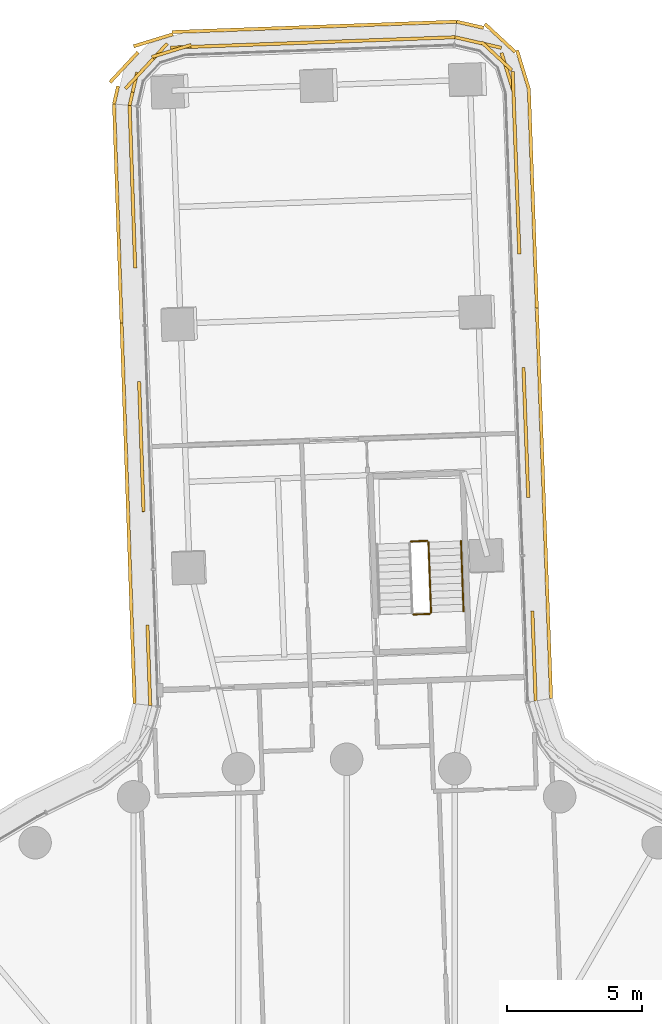
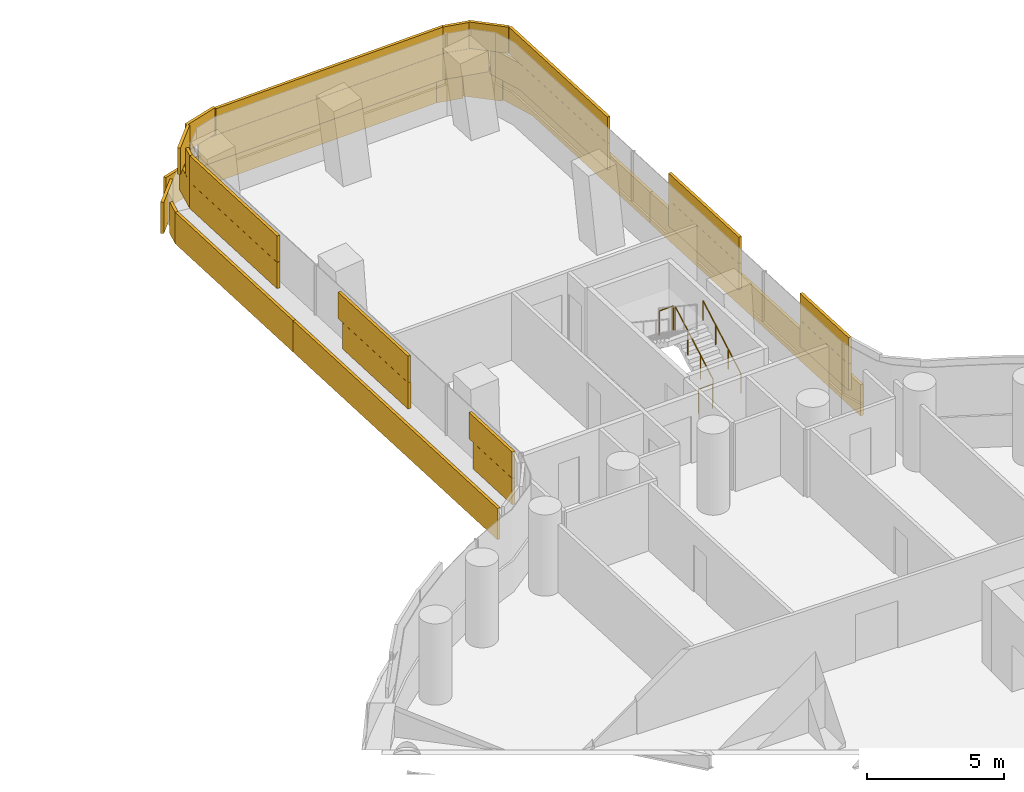
# One storey, part 31 of 31: 5 coverings, 4 railings.
"""IFC4 building model written with IfcOpenShell, lengths in metres."""

import ifcopenshell
import ifcopenshell.guid

model = None  # the IFC model being written
_history = None  # IfcOwnerHistory: only IFC2X3 demands one
_inside = {}  # id of a spatial element -> (the spatial element, [elements in it])
_under = {}  # id of a project, library or spatial element -> (it, [spatial elements below it])
_declared = {}  # id of a project -> (the project, [libraries it declares])
_typed = {}  # id of a type object -> (the type object, [elements of that type])
_made_of = {}  # id of a material, layer set ... -> (it, [elements and type objects made of it])


def new_model(schema):
    """Start an empty IFC model of exactly this schema.

    Asked for "IFC4X3", IfcOpenShell would pick the latest addendum, in which some entities
    have other attributes; the version numbers below select the first issue.
    IFC2X3 requires an IfcOwnerHistory on every rooted entity: one is made here for all.
    """
    global model, _history
    if schema == "IFC4X3":
        model = ifcopenshell.file(schema_version=(4, 3, 0, 0))
    else:
        model = ifcopenshell.file(schema=schema)
    _inside.clear()
    _under.clear()
    _declared.clear()
    _typed.clear()
    _made_of.clear()
    _history = None
    if model.schema == "IFC2X3":
        org = make("IfcOrganization", Name="unknown")
        user = make(
            "IfcPersonAndOrganization",
            ThePerson=make("IfcPerson", FamilyName="unknown"),
            TheOrganization=org,
        )
        app = make(
            "IfcApplication",
            ApplicationDeveloper=org,
            Version="unknown",
            ApplicationFullName="unknown",
            ApplicationIdentifier="unknown",
        )
        _history = make(
            "IfcOwnerHistory",
            OwningUser=user,
            OwningApplication=app,
            ChangeAction="ADDED",
            CreationDate=0,
        )
    return model


def make(cls, **values):
    """One entity of the class cls with the attributes given. An attribute that is None is left unset."""
    return model.create_entity(
        cls, **{name: value for name, value in values.items() if value is not None}
    )


def rooted(cls, **values):
    """An entity with a GlobalId (a new one), such as an element, a storey or a relation."""
    return make(cls, GlobalId=ifcopenshell.guid.new(), OwnerHistory=_history, **values)


def si_unit(unit_type, name, prefix=None):
    """IfcSIUnit, for example si_unit("LENGTHUNIT", "METRE", prefix="MILLI")."""
    return make("IfcSIUnit", UnitType=unit_type, Prefix=prefix, Name=name)


def assignment(units):
    """IfcUnitAssignment: the units of a project."""
    return None if units is None else make("IfcUnitAssignment", Units=units)


def point(xyz):
    """IfcCartesianPoint."""
    return None if xyz is None else make("IfcCartesianPoint", Coordinates=xyz)


def direction(xyz):
    """IfcDirection."""
    return None if xyz is None else make("IfcDirection", DirectionRatios=xyz)


def frame(location, z_axis=None, x_axis=None):
    """IfcAxis2Placement3D, a coordinate frame: its origin and axes. An axis left out is left unset."""
    return make(
        "IfcAxis2Placement3D",
        Location=point(location),
        Axis=direction(z_axis),
        RefDirection=direction(x_axis),
    )


def frame_2d(location, x_axis=None):
    """IfcAxis2Placement2D, a coordinate frame in the plane: its origin and x axis."""
    return make(
        "IfcAxis2Placement2D", Location=point(location), RefDirection=direction(x_axis)
    )


def origin():
    """The frame at (0, 0, 0) with its axes left unset."""
    return frame((0.0, 0.0, 0.0))


def origin_2d():
    """The frame at (0, 0) in the plane with its x axis left unset."""
    return frame_2d((0.0, 0.0))


def place(relative_to, where):
    """IfcLocalPlacement: puts the frame where relative to a parent placement (None: the world)."""
    return make(
        "IfcLocalPlacement", PlacementRelTo=relative_to, RelativePlacement=where
    )


def context(
    kind, dimensions, precision=None, world=None, true_north=None, identifier=None
):
    """IfcGeometricRepresentationContext, for example the 3D "Model" context."""
    return make(
        "IfcGeometricRepresentationContext",
        ContextIdentifier=identifier,
        ContextType=kind,
        CoordinateSpaceDimension=dimensions,
        Precision=precision,
        WorldCoordinateSystem=world,
        TrueNorth=true_north,
    )


def subcontext(parent, identifier, kind, view, scale=None):
    """IfcGeometricRepresentationSubContext, for example "Body" below "Model"."""
    return make(
        "IfcGeometricRepresentationSubContext",
        ContextIdentifier=identifier,
        ContextType=kind,
        ParentContext=parent,
        TargetScale=scale,
        TargetView=view,
    )


def project(units=None, contexts=None):
    """IfcProject with its units and contexts."""
    return rooted(
        "IfcProject",
        Name="project",
        RepresentationContexts=contexts,
        UnitsInContext=assignment(units),
    )


def spatial(cls, under=None, at=None, **own):
    """A site, building, storey or space (cls), placed at a placement, below another one or the project."""
    s = rooted(cls, ObjectPlacement=at, **own)
    if under is not None:
        _under.setdefault(under.id(), (under, []))[1].append(s)
    return s


def profile(cls, at=None, kind="AREA", **sizes):
    """A parametric profile (cls). Its sizes go by their IFC names, for example OverallWidth=200.0."""
    return make(cls, ProfileType=kind, Position=at, **sizes)


def rectangle(**sizes):
    """IfcRectangleProfileDef."""
    return profile("IfcRectangleProfileDef", **sizes)


def circle(**sizes):
    """IfcCircleProfileDef."""
    return profile("IfcCircleProfileDef", **sizes)


def extrude(swept, where, along, depth):
    """IfcExtrudedAreaSolid: the profile swept, set in the frame where, extruded along a direction by depth."""
    return make(
        "IfcExtrudedAreaSolid",
        SweptArea=swept,
        Position=where,
        ExtrudedDirection=direction(along),
        Depth=depth,
    )


def shape(context_of_items, identifier, shape_type, items):
    """IfcShapeRepresentation: the items that make up one representation, for example the "Body"."""
    return make(
        "IfcShapeRepresentation",
        ContextOfItems=context_of_items,
        RepresentationIdentifier=identifier,
        RepresentationType=shape_type,
        Items=items,
    )


def material(Name=None, Category=None):
    """IfcMaterial."""
    return make("IfcMaterial", Name=Name, Category=Category)


def layer(
    of_material, thickness, ventilated=None, Name=None, Category=None, Priority=None
):
    """IfcMaterialLayer: one layer of a wall or slab, of a material (None: an air gap)."""
    return make(
        "IfcMaterialLayer",
        Material=of_material,
        LayerThickness=thickness,
        IsVentilated=ventilated,
        Name=Name,
        Category=Category,
        Priority=Priority,
    )


def layer_set(layers, Name=None):
    """IfcMaterialLayerSet."""
    return make("IfcMaterialLayerSet", MaterialLayers=layers, LayerSetName=Name)


def made_of(thing, what):
    """Note that an element or type object is made of a material, layer set ...; save() writes the relation."""
    if what is not None:
        _made_of.setdefault(what.id(), (what, []))[1].append(thing)
    return thing


def type_object(cls, material=None, **own):
    """A type object (cls), such as IfcWallType, which elements share."""
    return made_of(rooted(cls, **own), material)


def element(
    cls,
    number,
    at=None,
    inside=None,
    cuts=None,
    type_object=None,
    material=None,
    context=None,
    identifier="Body",
    shape_type=None,
    held_by="IfcProductDefinitionShape",
    body=None,
    shapes=None,
    **own,
):
    """One element of the class cls, such as IfcWall. Its Tag is "e" and its number.

    at: its placement. inside: the storey or other place that contains it. cuts: it is an
    opening in that element (IfcRelVoidsElement). A single representation is given by context,
    identifier, shape_type and body (its items); several are given by shapes. held_by: the class
    of the entity that holds the representations. save() writes the other relations.
    """
    e = rooted(cls, Tag="e%d" % number, ObjectPlacement=at, **own)
    if body is not None:
        shapes = [shape(context, identifier, shape_type, body)]
    if shapes is not None:
        e.Representation = make(held_by, Representations=shapes)
    if inside is not None:
        _inside.setdefault(inside.id(), (inside, []))[1].append(e)
    if cuts is not None:
        rooted(
            "IfcRelVoidsElement", RelatingBuildingElement=cuts, RelatedOpeningElement=e
        )
    if type_object is not None:
        _typed.setdefault(type_object.id(), (type_object, []))[1].append(e)
    return made_of(e, material)


def aggregate(whole, parts):
    """IfcRelAggregates: a whole, such as a stair, and the parts it consists of."""
    return rooted("IfcRelAggregates", RelatingObject=whole, RelatedObjects=parts)


def save(model, path):
    """Write the relations noted so far, then the file.

    IfcRelAggregates (storeys below a building ...), IfcRelContainedInSpatialStructure (elements
    in a storey), IfcRelDefinesByType, IfcRelAssociatesMaterial and IfcRelDeclares: one each for
    every whole, place, type object, material and project.
    """
    for whole, parts in _under.values():
        aggregate(whole, parts)
    for where, things in _inside.values():
        rooted(
            "IfcRelContainedInSpatialStructure",
            RelatedElements=things,
            RelatingStructure=where,
        )
    for kind, things in _typed.values():
        rooted("IfcRelDefinesByType", RelatedObjects=things, RelatingType=kind)
    for what, things in _made_of.values():
        rooted("IfcRelAssociatesMaterial", RelatedObjects=things, RelatingMaterial=what)
    for by, libraries in _declared.values():
        rooted("IfcRelDeclares", RelatingContext=by, RelatedDefinitions=libraries)
    model.write(path)


model = new_model("IFC4")

# Units and contexts
model_context = context("Model", 3, precision=1e-05, world=origin(), true_north=direction((0.0, 1.0)))
body_context = subcontext(model_context, "Body", "Model", "MODEL_VIEW")
ifc_project = project(units=[si_unit("LENGTHUNIT", "METRE"), si_unit("AREAUNIT", "SQUARE_METRE"), si_unit("VOLUMEUNIT", "CUBIC_METRE"), si_unit("PLANEANGLEUNIT", "RADIAN"), si_unit("MASSUNIT", "GRAM", prefix="KILO")], contexts=[model_context])

# Site, building, storey
site_placement = place(None, origin())
site = spatial("IfcSite", under=ifc_project, at=site_placement, CompositionType="ELEMENT")
building_placement = place(site_placement, origin())
building = spatial("IfcBuilding", under=site, at=building_placement, Name="Tamarind Cross Interchange Tower", CompositionType="ELEMENT")
storey_placement = place(building_placement, frame((0.0, 0.0, 41.5)))
storey = spatial("IfcBuildingStorey", under=building, at=storey_placement, Name="L08", CompositionType="ELEMENT", Elevation=41.5)

# Railings
ifc_material_1 = material(Name="Stair guard")
railing_type_1 = type_object("IfcRailingType", Name="Stair guard", PredefinedType="GUARDRAIL", material=ifc_material_1)
railing_1_placement = place(storey_placement, frame((3.1181640625, 28.41796875, 0.17041015625)))
element("IfcRailing", 1, at=railing_1_placement, inside=storey, type_object=railing_type_1, Name="L08 ST4 stair guard 1", PredefinedType="GUARDRAIL", context=body_context, shape_type="SweptSolid", body=[
    extrude(circle(Radius=0.02392578125, at=origin_2d()), frame((0.0, 0.0, 1.076171875), z_axis=(-0.030548416436, 0.835723001818, 0.54830088317), x_axis=(-0.999332597614, -0.036528883713, 0.0)), (0.0, 0.0, 1.0), 3.10888671875),
    extrude(circle(Radius=0.02099609375, at=origin_2d()), origin(), (0.0, 0.0, 1.0), 1.052001953125),
    extrude(circle(Radius=0.02099609375, at=origin_2d()), frame((-0.03173828125, 0.865966796875, 0.568115234375)), (0.0, 0.0, 1.0), 1.052001953125),
    extrude(circle(Radius=0.02099609375, at=origin_2d()), frame((-0.063232421875, 1.732177734375, 1.136474609375)), (0.0, 0.0, 1.0), 1.052001953125),
    extrude(circle(Radius=0.02099609375, at=origin_2d()), frame((-0.094970703125, 2.59814453125, 1.70458984375)), (0.0, 0.0, 1.0), 1.052001953125),
])
for number, where, name in (
    (2, (2.971435546875, 31.064453125, 1.875), "L08 ST4 stair guard 2"),
    (3, (3.06982421875, 28.3662109375, 0.0), "L08 ST4 stair guard 4"),
):
    element("IfcRailing", number, at=place(storey_placement, frame(where)), inside=storey, type_object=railing_type_1, Name=name, PredefinedType="GUARDRAIL", context=body_context, shape_type="SweptSolid", body=[
        extrude(circle(Radius=0.02392578125, at=origin_2d()), frame((0.0, 0.0, 1.076171875), z_axis=(-0.999329249242, -0.036620371511, 0.0), x_axis=(0.036620371511, -0.999329249242, 0.0)), (0.0, 0.0, 1.0), 0.60009765625),
        extrude(circle(Radius=0.02099609375, at=origin_2d()), origin(), (0.0, 0.0, 1.0), 1.052001953125),
        extrude(circle(Radius=0.02099609375, at=origin_2d()), frame((-0.599609375, -0.02197265625, 0.0)), (0.0, 0.0, 1.0), 1.052001953125),
    ])
ifc_material_2 = material(Name="Stair handrail")
railing_type_2 = type_object("IfcRailingType", Name="Stair handrail", PredefinedType="HANDRAIL", material=ifc_material_2)
railing_2_placement = place(storey_placement, frame((4.3173828125, 28.461669921875, 0.17041015625)))
element("IfcRailing", 4, at=railing_2_placement, inside=storey, type_object=railing_type_2, Name="L08 ST4 stair handrail 1", PredefinedType="HANDRAIL", context=body_context, shape_type="SweptSolid", body=[
    extrude(circle(Radius=0.02392578125, at=origin_2d()), frame((0.0, 0.0, 0.8759765625), z_axis=(-0.030546411651, 0.83574668174, 0.548264900113), x_axis=(-0.999332722899, -0.036525456094, 0.0)), (0.0, 0.0, 1.0), 3.109130859375),
    extrude(circle(Radius=0.02099609375, at=origin_2d()), origin(), (0.0, 0.0, 1.0), 0.851806640625),
    extrude(circle(Radius=0.02099609375, at=origin_2d()), frame((-0.03173828125, 0.8662109375, 0.568115234375)), (0.0, 0.0, 1.0), 0.851806640625),
    extrude(circle(Radius=0.02099609375, at=origin_2d()), frame((-0.063232421875, 1.732177734375, 1.136474609375)), (0.0, 0.0, 1.0), 0.851806640625),
    extrude(circle(Radius=0.02099609375, at=origin_2d()), frame((-0.094970703125, 2.598388671875, 1.70458984375)), (0.0, 0.0, 1.0), 0.851806640625),
])

# Coverings
ifc_material_3 = material(Name="Terracotta", Category="masonry")
ifc_layer = layer(ifc_material_3, 0.1201171875)
ifc_layer_set = layer_set([ifc_layer], Name="Terracotta")
covering_type = type_object("IfcCoveringType", Name="Terracotta baguette screen unit", PredefinedType="MOLDING", material=ifc_layer_set)
covering_1_placement = place(storey_placement, origin())
element("IfcCovering", 5, at=covering_1_placement, inside=storey, type_object=covering_type, Name="SCR-L08-11-00", PredefinedType="MOLDING", context=body_context, shape_type="SweptSolid", body=[
    extrude(rectangle(XDim=1.510009765625, YDim=0.1201171875, at=origin_2d()), frame((6.952392578125, 25.90087890625, 1.404052734375), z_axis=(0.0, 0.0, 1.0), x_axis=(-0.036462315768, 0.999335028671, 0.0)), (0.0, 0.0, 1.0), 1.1669921875),
    extrude(rectangle(XDim=1.52001953125, YDim=0.1201171875, at=origin_2d()), frame((6.897705078125, 27.39990234375, 1.404052734375), z_axis=(0.0, 0.0, 1.0), x_axis=(-0.036462315768, 0.999335028671, 0.0)), (0.0, 0.0, 1.0), 1.1669921875),
    extrude(rectangle(XDim=0.326904296875, YDim=0.1201171875, at=origin_2d()), frame((6.864501953125, 28.307861328125, 1.404052734375), z_axis=(0.0, 0.0, 1.0), x_axis=(-0.036462315768, 0.999335028671, 0.0)), (0.0, 0.0, 1.0), 1.1669921875),
    extrude(rectangle(XDim=1.492919921875, YDim=0.1201171875, at=origin_2d()), frame((6.6787109375, 33.404541015625, 1.404052734375), z_axis=(0.0, 0.0, 1.0), x_axis=(-0.036462315768, 0.999335028671, 0.0)), (0.0, 0.0, 1.0), 1.1669921875),
    extrude(rectangle(XDim=1.52001953125, YDim=0.1201171875, at=origin_2d()), frame((6.624267578125, 34.89501953125, 1.404052734375), z_axis=(0.0, 0.0, 1.0), x_axis=(-0.036462315768, 0.999335028671, 0.0)), (0.0, 0.0, 1.0), 1.1669921875),
    extrude(rectangle(XDim=1.52001953125, YDim=0.1201171875, at=origin_2d()), frame((6.569580078125, 36.39404296875, 1.404052734375), z_axis=(0.0, 0.0, 1.0), x_axis=(-0.036462315768, 0.999335028671, 0.0)), (0.0, 0.0, 1.0), 1.1669921875),
    extrude(rectangle(XDim=0.326904296875, YDim=0.1201171875, at=origin_2d()), frame((6.536376953125, 37.3017578125, 1.404052734375), z_axis=(0.0, 0.0, 1.0), x_axis=(-0.036462315768, 0.999335028671, 0.0)), (0.0, 0.0, 1.0), 1.1669921875),
    extrude(rectangle(XDim=0.760009765625, YDim=0.1201171875, at=origin_2d()), frame((6.966064453125, 25.526123046875, 2.5791015625), z_axis=(0.0, 0.0, 1.0), x_axis=(-0.036462315768, 0.999335028671, 0.0)), (0.0, 0.0, 1.0), 1.1669921875),
    extrude(rectangle(XDim=1.52001953125, YDim=0.1201171875, at=origin_2d()), frame((6.925048828125, 26.650390625, 2.5791015625), z_axis=(0.0, 0.0, 1.0), x_axis=(-0.036462315768, 0.999335028671, 0.0)), (0.0, 0.0, 1.0), 1.1669921875),
    extrude(rectangle(XDim=1.076904296875, YDim=0.1201171875, at=origin_2d()), frame((6.878173828125, 27.93310546875, 2.5791015625), z_axis=(0.0, 0.0, 1.0), x_axis=(-0.036462315768, 0.999335028671, 0.0)), (0.0, 0.0, 1.0), 1.1669921875),
    extrude(rectangle(XDim=0.742919921875, YDim=0.1201171875, at=origin_2d()), frame((6.6923828125, 33.02978515625, 2.5791015625), z_axis=(0.0, 0.0, 1.0), x_axis=(-0.036462315768, 0.999335028671, 0.0)), (0.0, 0.0, 1.0), 1.1669921875),
    extrude(rectangle(XDim=1.52001953125, YDim=0.1201171875, at=origin_2d()), frame((6.651611328125, 34.1455078125, 2.5791015625), z_axis=(0.0, 0.0, 1.0), x_axis=(-0.036462315768, 0.999335028671, 0.0)), (0.0, 0.0, 1.0), 1.1669921875),
    extrude(rectangle(XDim=1.52001953125, YDim=0.1201171875, at=origin_2d()), frame((6.596923828125, 35.64453125, 2.5791015625), z_axis=(0.0, 0.0, 1.0), x_axis=(-0.036462315768, 0.999335028671, 0.0)), (0.0, 0.0, 1.0), 1.1669921875),
    extrude(rectangle(XDim=1.076904296875, YDim=0.1201171875, at=origin_2d()), frame((6.550048828125, 36.927001953125, 2.5791015625), z_axis=(0.0, 0.0, 1.0), x_axis=(-0.036462315768, 0.999335028671, 0.0)), (0.0, 0.0, 1.0), 1.1669921875),
    extrude(rectangle(XDim=1.510009765625, YDim=0.1201171875, at=origin_2d()), frame((7.52294921875, 26.0029296875, 0.00390625), z_axis=(0.0, 0.0, 1.0), x_axis=(-0.036462315768, 0.999335028671, 0.0)), (0.0, 0.0, 1.0), 1.39208984375),
    extrude(rectangle(XDim=1.52001953125, YDim=0.1201171875, at=origin_2d()), frame((7.468505859375, 27.4970703125, 0.00390625), z_axis=(0.0, 0.0, 1.0), x_axis=(-0.036462315768, 0.999335028671, 0.0)), (0.0, 0.0, 1.0), 1.39208984375),
    extrude(rectangle(XDim=1.52001953125, YDim=0.1201171875, at=origin_2d()), frame((7.413818359375, 28.99609375, 0.00390625), z_axis=(0.0, 0.0, 1.0), x_axis=(-0.036462315768, 0.999335028671, 0.0)), (0.0, 0.0, 1.0), 1.39208984375),
    extrude(rectangle(XDim=1.52001953125, YDim=0.1201171875, at=origin_2d()), frame((7.359130859375, 30.4951171875, 0.00390625), z_axis=(0.0, 0.0, 1.0), x_axis=(-0.036462315768, 0.999335028671, 0.0)), (0.0, 0.0, 1.0), 1.39208984375),
    extrude(rectangle(XDim=1.52001953125, YDim=0.1201171875, at=origin_2d()), frame((7.304443359375, 31.994140625, 0.00390625), z_axis=(0.0, 0.0, 1.0), x_axis=(-0.036462315768, 0.999335028671, 0.0)), (0.0, 0.0, 1.0), 1.39208984375),
    extrude(rectangle(XDim=1.52001953125, YDim=0.1201171875, at=origin_2d()), frame((7.249755859375, 33.4931640625, 0.00390625), z_axis=(0.0, 0.0, 1.0), x_axis=(-0.036462315768, 0.999335028671, 0.0)), (0.0, 0.0, 1.0), 1.39208984375),
    extrude(rectangle(XDim=1.52001953125, YDim=0.1201171875, at=origin_2d()), frame((7.195068359375, 34.9921875, 0.00390625), z_axis=(0.0, 0.0, 1.0), x_axis=(-0.036462315768, 0.999335028671, 0.0)), (0.0, 0.0, 1.0), 1.39208984375),
    extrude(rectangle(XDim=1.52001953125, YDim=0.1201171875, at=origin_2d()), frame((7.140380859375, 36.490966796875, 0.00390625), z_axis=(0.0, 0.0, 1.0), x_axis=(-0.036462315768, 0.999335028671, 0.0)), (0.0, 0.0, 1.0), 1.39208984375),
    extrude(rectangle(XDim=1.52001953125, YDim=0.1201171875, at=origin_2d()), frame((7.085693359375, 37.989990234375, 0.00390625), z_axis=(0.0, 0.0, 1.0), x_axis=(-0.036462315768, 0.999335028671, 0.0)), (0.0, 0.0, 1.0), 1.39208984375),
    extrude(rectangle(XDim=0.926513671875, YDim=0.1201171875, at=origin_2d()), frame((7.041748046875, 39.192626953125, 0.00390625), z_axis=(0.0, 0.0, 1.0), x_axis=(-0.036462315768, 0.999335028671, 0.0)), (0.0, 0.0, 1.0), 1.39208984375),
])
covering_2_placement = place(storey_placement, origin())
element("IfcCovering", 6, at=covering_2_placement, inside=storey, type_object=covering_type, Name="SCR-L08-11-01", PredefinedType="MOLDING", context=body_context, shape_type="SweptSolid", body=[
    extrude(rectangle(XDim=1.4931640625, YDim=0.1201171875, at=origin_2d()), frame((6.350341796875, 42.3984375, 1.404052734375), z_axis=(0.0, 0.0, 1.0), x_axis=(-0.036462315768, 0.999335028671, 0.0)), (0.0, 0.0, 1.0), 1.1669921875),
    extrude(rectangle(XDim=1.52001953125, YDim=0.1201171875, at=origin_2d()), frame((6.296142578125, 43.888916015625, 1.404052734375), z_axis=(0.0, 0.0, 1.0), x_axis=(-0.036462315768, 0.999335028671, 0.0)), (0.0, 0.0, 1.0), 1.1669921875),
    extrude(rectangle(XDim=1.52001953125, YDim=0.1201171875, at=origin_2d()), frame((6.241455078125, 45.387939453125, 1.404052734375), z_axis=(0.0, 0.0, 1.0), x_axis=(-0.036462315768, 0.999335028671, 0.0)), (0.0, 0.0, 1.0), 1.1669921875),
    extrude(rectangle(XDim=1.52001953125, YDim=0.1201171875, at=origin_2d()), frame((6.186767578125, 46.886962890625, 1.404052734375), z_axis=(0.0, 0.0, 1.0), x_axis=(-0.036462315768, 0.999335028671, 0.0)), (0.0, 0.0, 1.0), 1.1669921875),
    extrude(rectangle(XDim=1.52001953125, YDim=0.1201171875, at=origin_2d()), frame((5.94384765625, 48.354248046875, 1.404052734375), z_axis=(0.0, 0.0, 1.0), x_axis=(-0.293866830345, 0.955846371559, 0.0)), (0.0, 0.0, 1.0), 1.1669921875),
    extrude(rectangle(XDim=1.52001953125, YDim=0.1201171875, at=origin_2d()), frame((4.97607421875, 49.434326171875, 1.404052734375), z_axis=(0.0, 0.0, 1.0), x_axis=(-0.974720655058, 0.223427045372, 0.0)), (0.0, 0.0, 1.0), 1.1669921875),
    extrude(rectangle(XDim=0.255126953125, YDim=0.1201171875, at=origin_2d()), frame((4.12548828125, 49.629150390625, 1.404052734375), z_axis=(0.0, 0.0, 1.0), x_axis=(-0.974720655058, 0.223427045372, 0.0)), (0.0, 0.0, 1.0), 1.1669921875),
    extrude(rectangle(XDim=0.7431640625, YDim=0.1201171875, at=origin_2d()), frame((6.364013671875, 42.023681640625, 2.5791015625), z_axis=(0.0, 0.0, 1.0), x_axis=(-0.036462315768, 0.999335028671, 0.0)), (0.0, 0.0, 1.0), 1.1669921875),
    extrude(rectangle(XDim=1.52001953125, YDim=0.1201171875, at=origin_2d()), frame((6.323486328125, 43.139404296875, 2.5791015625), z_axis=(0.0, 0.0, 1.0), x_axis=(-0.036462315768, 0.999335028671, 0.0)), (0.0, 0.0, 1.0), 1.1669921875),
    extrude(rectangle(XDim=1.52001953125, YDim=0.1201171875, at=origin_2d()), frame((6.268798828125, 44.638427734375, 2.5791015625), z_axis=(0.0, 0.0, 1.0), x_axis=(-0.036462315768, 0.999335028671, 0.0)), (0.0, 0.0, 1.0), 1.1669921875),
    extrude(rectangle(XDim=1.52001953125, YDim=0.1201171875, at=origin_2d()), frame((6.214111328125, 46.137451171875, 2.5791015625), z_axis=(0.0, 0.0, 1.0), x_axis=(-0.036462315768, 0.999335028671, 0.0)), (0.0, 0.0, 1.0), 1.1669921875),
    extrude(rectangle(XDim=1.52001953125, YDim=0.1201171875, at=origin_2d()), frame((6.159423828125, 47.636474609375, 2.5791015625), z_axis=(0.0, 0.0, 1.0), x_axis=(-0.036462315768, 0.999335028671, 0.0)), (0.0, 0.0, 1.0), 1.1669921875),
    extrude(rectangle(XDim=1.52001953125, YDim=0.1201171875, at=origin_2d()), frame((5.543701171875, 48.95849609375, 2.5791015625), z_axis=(0.0, 0.0, 1.0), x_axis=(-0.732419326188, 0.680853824713, 0.0)), (0.0, 0.0, 1.0), 1.1669921875),
    extrude(rectangle(XDim=1.005126953125, YDim=0.1201171875, at=origin_2d()), frame((4.490966796875, 49.54541015625, 2.5791015625), z_axis=(0.0, 0.0, 1.0), x_axis=(-0.974720655058, 0.223427045372, 0.0)), (0.0, 0.0, 1.0), 1.1669921875),
    extrude(rectangle(XDim=0.593505859375, YDim=0.1201171875, at=origin_2d()), frame((7.01416015625, 39.9521484375, 0.00390625), z_axis=(0.0, 0.0, 1.0), x_axis=(-0.036462315768, 0.999335028671, 0.0)), (0.0, 0.0, 1.0), 1.39208984375),
    extrude(rectangle(XDim=1.52001953125, YDim=0.1201171875, at=origin_2d()), frame((6.976318359375, 40.988037109375, 0.00390625), z_axis=(0.0, 0.0, 1.0), x_axis=(-0.036462315768, 0.999335028671, 0.0)), (0.0, 0.0, 1.0), 1.39208984375),
    extrude(rectangle(XDim=1.52001953125, YDim=0.1201171875, at=origin_2d()), frame((6.921630859375, 42.487060546875, 0.00390625), z_axis=(0.0, 0.0, 1.0), x_axis=(-0.036462315768, 0.999335028671, 0.0)), (0.0, 0.0, 1.0), 1.39208984375),
    extrude(rectangle(XDim=1.52001953125, YDim=0.1201171875, at=origin_2d()), frame((6.866943359375, 43.986083984375, 0.00390625), z_axis=(0.0, 0.0, 1.0), x_axis=(-0.036462315768, 0.999335028671, 0.0)), (0.0, 0.0, 1.0), 1.39208984375),
    extrude(rectangle(XDim=1.52001953125, YDim=0.1201171875, at=origin_2d()), frame((6.812255859375, 45.485107421875, 0.00390625), z_axis=(0.0, 0.0, 1.0), x_axis=(-0.036462315768, 0.999335028671, 0.0)), (0.0, 0.0, 1.0), 1.39208984375),
    extrude(rectangle(XDim=1.52001953125, YDim=0.1201171875, at=origin_2d()), frame((6.757568359375, 46.984130859375, 0.00390625), z_axis=(0.0, 0.0, 1.0), x_axis=(-0.036462315768, 0.999335028671, 0.0)), (0.0, 0.0, 1.0), 1.39208984375),
    extrude(rectangle(XDim=1.52001953125, YDim=0.1201171875, at=origin_2d()), frame((6.514404296875, 48.451171875, 0.00390625), z_axis=(0.0, 0.0, 1.0), x_axis=(-0.293866830345, 0.955846371559, 0.0)), (0.0, 0.0, 1.0), 1.39208984375),
    extrude(rectangle(XDim=1.52001953125, YDim=0.1201171875, at=origin_2d()), frame((5.66552734375, 49.629150390625, 0.00390625), z_axis=(0.0, 0.0, 1.0), x_axis=(-0.732419326188, 0.680853824713, 0.0)), (0.0, 0.0, 1.0), 1.39208984375),
    extrude(rectangle(XDim=1.020751953125, YDim=0.1201171875, at=origin_2d()), frame((4.55810546875, 50.118896484375, 0.00390625), z_axis=(0.0, 0.0, 1.0), x_axis=(-0.974720655058, 0.223427045372, 0.0)), (0.0, 0.0, 1.0), 1.39208984375),
])
covering_3_placement = place(storey_placement, origin())
element("IfcCovering", 7, at=covering_3_placement, inside=storey, type_object=covering_type, Name="SCR-L08-12-00", PredefinedType="MOLDING", context=body_context, shape_type="SweptSolid", body=[
    extrude(rectangle(XDim=1.510009765625, YDim=0.1201171875, at=origin_2d()), frame((3.256591796875, 49.629150390625, 1.404052734375), z_axis=(0.0, 0.0, 1.0), x_axis=(-0.999335028671, -0.036462315768, 0.0)), (0.0, 0.0, 1.0), 1.1669921875),
    extrude(rectangle(XDim=1.52001953125, YDim=0.1201171875, at=origin_2d()), frame((1.757568359375, 49.574462890625, 1.404052734375), z_axis=(0.0, 0.0, 1.0), x_axis=(-0.999335028671, -0.036462315768, 0.0)), (0.0, 0.0, 1.0), 1.1669921875),
    extrude(rectangle(XDim=1.52001953125, YDim=0.1201171875, at=origin_2d()), frame((0.258544921875, 49.519775390625, 1.404052734375), z_axis=(0.0, 0.0, 1.0), x_axis=(-0.999335028671, -0.036462315768, 0.0)), (0.0, 0.0, 1.0), 1.1669921875),
    extrude(rectangle(XDim=1.52001953125, YDim=0.1201171875, at=origin_2d()), frame((-1.240478515625, 49.465087890625, 1.404052734375), z_axis=(0.0, 0.0, 1.0), x_axis=(-0.999335028671, -0.036462315768, 0.0)), (0.0, 0.0, 1.0), 1.1669921875),
    extrude(rectangle(XDim=1.52001953125, YDim=0.1201171875, at=origin_2d()), frame((-2.739501953125, 49.410400390625, 1.404052734375), z_axis=(0.0, 0.0, 1.0), x_axis=(-0.999335028671, -0.036462315768, 0.0)), (0.0, 0.0, 1.0), 1.1669921875),
    extrude(rectangle(XDim=1.52001953125, YDim=0.1201171875, at=origin_2d()), frame((-4.238525390625, 49.355712890625, 1.404052734375), z_axis=(0.0, 0.0, 1.0), x_axis=(-0.999335028671, -0.036462315768, 0.0)), (0.0, 0.0, 1.0), 1.1669921875),
    extrude(rectangle(XDim=1.52001953125, YDim=0.1201171875, at=origin_2d()), frame((-5.737548828125, 49.301025390625, 1.404052734375), z_axis=(0.0, 0.0, 1.0), x_axis=(-0.999335028671, -0.036462315768, 0.0)), (0.0, 0.0, 1.0), 1.1669921875),
    extrude(rectangle(XDim=1.52001953125, YDim=0.1201171875, at=origin_2d()), frame((-7.140380859375, 48.86279296875, 1.404052734375), z_axis=(0.0, 0.0, 1.0), x_axis=(-0.680853824713, -0.732419326188, 0.0)), (0.0, 0.0, 1.0), 1.1669921875),
    extrude(rectangle(XDim=1.259521484375, YDim=0.1201171875, at=origin_2d()), frame((-7.872314453125, 47.74755859375, 1.404052734375), z_axis=(0.0, 0.0, 1.0), x_axis=(-0.223427045372, -0.974720655058, 0.0)), (0.0, 0.0, 1.0), 1.1669921875),
    extrude(rectangle(XDim=0.760009765625, YDim=0.1201171875, at=origin_2d()), frame((3.63134765625, 49.642822265625, 2.5791015625), z_axis=(0.0, 0.0, 1.0), x_axis=(-0.999335028671, -0.036462315768, 0.0)), (0.0, 0.0, 1.0), 1.1669921875),
    extrude(rectangle(XDim=1.52001953125, YDim=0.1201171875, at=origin_2d()), frame((2.507080078125, 49.601806640625, 2.5791015625), z_axis=(0.0, 0.0, 1.0), x_axis=(-0.999335028671, -0.036462315768, 0.0)), (0.0, 0.0, 1.0), 1.1669921875),
    extrude(rectangle(XDim=1.52001953125, YDim=0.1201171875, at=origin_2d()), frame((1.008056640625, 49.547119140625, 2.5791015625), z_axis=(0.0, 0.0, 1.0), x_axis=(-0.999335028671, -0.036462315768, 0.0)), (0.0, 0.0, 1.0), 1.1669921875),
    extrude(rectangle(XDim=1.52001953125, YDim=0.1201171875, at=origin_2d()), frame((-0.490966796875, 49.492431640625, 2.5791015625), z_axis=(0.0, 0.0, 1.0), x_axis=(-0.999335028671, -0.036462315768, 0.0)), (0.0, 0.0, 1.0), 1.1669921875),
    extrude(rectangle(XDim=1.52001953125, YDim=0.1201171875, at=origin_2d()), frame((-1.989990234375, 49.437744140625, 2.5791015625), z_axis=(0.0, 0.0, 1.0), x_axis=(-0.999335028671, -0.036462315768, 0.0)), (0.0, 0.0, 1.0), 1.1669921875),
    extrude(rectangle(XDim=1.52001953125, YDim=0.1201171875, at=origin_2d()), frame((-3.489013671875, 49.383056640625, 2.5791015625), z_axis=(0.0, 0.0, 1.0), x_axis=(-0.999335028671, -0.036462315768, 0.0)), (0.0, 0.0, 1.0), 1.1669921875),
    extrude(rectangle(XDim=1.52001953125, YDim=0.1201171875, at=origin_2d()), frame((-4.988037109375, 49.328369140625, 2.5791015625), z_axis=(0.0, 0.0, 1.0), x_axis=(-0.999335028671, -0.036462315768, 0.0)), (0.0, 0.0, 1.0), 1.1669921875),
    extrude(rectangle(XDim=1.52001953125, YDim=0.1201171875, at=origin_2d()), frame((-6.46630859375, 49.151123046875, 2.5791015625), z_axis=(0.0, 0.0, 1.0), x_axis=(-0.955846371559, -0.293866830345, 0.0)), (0.0, 0.0, 1.0), 1.1669921875),
    extrude(rectangle(XDim=1.52001953125, YDim=0.1201171875, at=origin_2d()), frame((-7.651123046875, 48.3134765625, 2.5791015625), z_axis=(0.0, 0.0, 1.0), x_axis=(-0.680853824713, -0.732419326188, 0.0)), (0.0, 0.0, 1.0), 1.1669921875),
    extrude(rectangle(XDim=0.509521484375, YDim=0.1201171875, at=origin_2d()), frame((-7.9560546875, 47.382080078125, 2.5791015625), z_axis=(0.0, 0.0, 1.0), x_axis=(-0.223427045372, -0.974720655058, 0.0)), (0.0, 0.0, 1.0), 1.1669921875),
    extrude(rectangle(XDim=1.510009765625, YDim=0.1201171875, at=origin_2d()), frame((3.30615234375, 50.20556640625, 0.00390625), z_axis=(0.0, 0.0, 1.0), x_axis=(-0.999335028671, -0.036462315768, 0.0)), (0.0, 0.0, 1.0), 1.39208984375),
    extrude(rectangle(XDim=1.52001953125, YDim=0.1201171875, at=origin_2d()), frame((1.812255859375, 50.15087890625, 0.00390625), z_axis=(0.0, 0.0, 1.0), x_axis=(-0.999335028671, -0.036462315768, 0.0)), (0.0, 0.0, 1.0), 1.39208984375),
    extrude(rectangle(XDim=1.52001953125, YDim=0.1201171875, at=origin_2d()), frame((0.313232421875, 50.09619140625, 0.00390625), z_axis=(0.0, 0.0, 1.0), x_axis=(-0.999335028671, -0.036462315768, 0.0)), (0.0, 0.0, 1.0), 1.39208984375),
    extrude(rectangle(XDim=1.52001953125, YDim=0.1201171875, at=origin_2d()), frame((-1.185791015625, 50.04150390625, 0.00390625), z_axis=(0.0, 0.0, 1.0), x_axis=(-0.999335028671, -0.036462315768, 0.0)), (0.0, 0.0, 1.0), 1.39208984375),
    extrude(rectangle(XDim=1.52001953125, YDim=0.1201171875, at=origin_2d()), frame((-2.684814453125, 49.98681640625, 0.00390625), z_axis=(0.0, 0.0, 1.0), x_axis=(-0.999335028671, -0.036462315768, 0.0)), (0.0, 0.0, 1.0), 1.39208984375),
    extrude(rectangle(XDim=1.52001953125, YDim=0.1201171875, at=origin_2d()), frame((-4.183837890625, 49.93212890625, 0.00390625), z_axis=(0.0, 0.0, 1.0), x_axis=(-0.999335028671, -0.036462315768, 0.0)), (0.0, 0.0, 1.0), 1.39208984375),
    extrude(rectangle(XDim=1.52001953125, YDim=0.1201171875, at=origin_2d()), frame((-5.682861328125, 49.87744140625, 0.00390625), z_axis=(0.0, 0.0, 1.0), x_axis=(-0.999335028671, -0.036462315768, 0.0)), (0.0, 0.0, 1.0), 1.39208984375),
    extrude(rectangle(XDim=1.52001953125, YDim=0.1201171875, at=origin_2d()), frame((-7.135009765625, 49.546142578125, 0.00390625), z_axis=(0.0, 0.0, 1.0), x_axis=(-0.955846371559, -0.293866830345, 0.0)), (0.0, 0.0, 1.0), 1.39208984375),
    extrude(rectangle(XDim=1.52001953125, YDim=0.1201171875, at=origin_2d()), frame((-8.21826171875, 48.546142578125, 0.00390625), z_axis=(0.0, 0.0, 1.0), x_axis=(-0.680853824713, -0.732419326188, 0.0)), (0.0, 0.0, 1.0), 1.39208984375),
    extrude(rectangle(XDim=0.676513671875, YDim=0.1201171875, at=origin_2d()), frame((-8.5126953125, 47.5234375, 0.00390625), z_axis=(0.0, 0.0, 1.0), x_axis=(-0.223427045372, -0.974720655058, 0.0)), (0.0, 0.0, 1.0), 1.39208984375),
])
covering_4_placement = place(storey_placement, origin())
element("IfcCovering", 8, at=covering_4_placement, inside=storey, type_object=covering_type, Name="SCR-L08-13-00", PredefinedType="MOLDING", context=body_context, shape_type="SweptSolid", body=[
    extrude(rectangle(XDim=1.510009765625, YDim=0.1201171875, at=origin_2d()), frame((-7.986083984375, 46.38916015625, 1.404052734375), z_axis=(0.0, 0.0, 1.0), x_axis=(0.034342684894, -0.999410116016, 0.0)), (0.0, 0.0, 1.0), 1.1669921875),
    extrude(rectangle(XDim=1.52001953125, YDim=0.1201171875, at=origin_2d()), frame((-7.9345703125, 44.889892578125, 1.404052734375), z_axis=(0.0, 0.0, 1.0), x_axis=(0.034342684894, -0.999410116016, 0.0)), (0.0, 0.0, 1.0), 1.1669921875),
    extrude(rectangle(XDim=1.52001953125, YDim=0.1201171875, at=origin_2d()), frame((-7.883056640625, 43.390869140625, 1.404052734375), z_axis=(0.0, 0.0, 1.0), x_axis=(0.034342684894, -0.999410116016, 0.0)), (0.0, 0.0, 1.0), 1.1669921875),
    extrude(rectangle(XDim=1.52001953125, YDim=0.1201171875, at=origin_2d()), frame((-7.83154296875, 41.891845703125, 1.404052734375), z_axis=(0.0, 0.0, 1.0), x_axis=(0.034342684894, -0.999410116016, 0.0)), (0.0, 0.0, 1.0), 1.1669921875),
    extrude(rectangle(XDim=0.760009765625, YDim=0.1201171875, at=origin_2d()), frame((-7.9990234375, 46.763916015625, 2.5791015625), z_axis=(0.0, 0.0, 1.0), x_axis=(0.034342684894, -0.999410116016, 0.0)), (0.0, 0.0, 1.0), 1.1669921875),
    extrude(rectangle(XDim=1.52001953125, YDim=0.1201171875, at=origin_2d()), frame((-7.96044921875, 45.6396484375, 2.5791015625), z_axis=(0.0, 0.0, 1.0), x_axis=(0.034342684894, -0.999410116016, 0.0)), (0.0, 0.0, 1.0), 1.1669921875),
    extrude(rectangle(XDim=1.52001953125, YDim=0.1201171875, at=origin_2d()), frame((-7.908935546875, 44.140380859375, 2.5791015625), z_axis=(0.0, 0.0, 1.0), x_axis=(0.034342684894, -0.999410116016, 0.0)), (0.0, 0.0, 1.0), 1.1669921875),
    extrude(rectangle(XDim=1.52001953125, YDim=0.1201171875, at=origin_2d()), frame((-7.857421875, 42.641357421875, 2.5791015625), z_axis=(0.0, 0.0, 1.0), x_axis=(0.034342684894, -0.999410116016, 0.0)), (0.0, 0.0, 1.0), 1.1669921875),
    extrude(rectangle(XDim=0.76123046875, YDim=0.1201171875, at=origin_2d()), frame((-7.818603515625, 41.516357421875, 2.5791015625), z_axis=(0.0, 0.0, 1.0), x_axis=(0.034342684894, -0.999410116016, 0.0)), (0.0, 0.0, 1.0), 1.1669921875),
    extrude(rectangle(XDim=1.510009765625, YDim=0.1201171875, at=origin_2d()), frame((-8.562255859375, 46.439208984375, 0.00390625), z_axis=(0.0, 0.0, 1.0), x_axis=(0.034342684894, -0.999410116016, 0.0)), (0.0, 0.0, 1.0), 1.39208984375),
    extrude(rectangle(XDim=1.52001953125, YDim=0.1201171875, at=origin_2d()), frame((-8.510986328125, 44.945068359375, 0.00390625), z_axis=(0.0, 0.0, 1.0), x_axis=(0.034342684894, -0.999410116016, 0.0)), (0.0, 0.0, 1.0), 1.39208984375),
    extrude(rectangle(XDim=1.52001953125, YDim=0.1201171875, at=origin_2d()), frame((-8.45947265625, 43.446044921875, 0.00390625), z_axis=(0.0, 0.0, 1.0), x_axis=(0.034342684894, -0.999410116016, 0.0)), (0.0, 0.0, 1.0), 1.39208984375),
    extrude(rectangle(XDim=1.52001953125, YDim=0.1201171875, at=origin_2d()), frame((-8.407958984375, 41.947021484375, 0.00390625), z_axis=(0.0, 0.0, 1.0), x_axis=(0.034342684894, -0.999410116016, 0.0)), (0.0, 0.0, 1.0), 1.39208984375),
    extrude(rectangle(XDim=1.52001953125, YDim=0.1201171875, at=origin_2d()), frame((-8.3564453125, 40.44775390625, 0.00390625), z_axis=(0.0, 0.0, 1.0), x_axis=(0.034342684894, -0.999410116016, 0.0)), (0.0, 0.0, 1.0), 1.39208984375),
    extrude(rectangle(XDim=0.606201171875, YDim=0.1201171875, at=origin_2d()), frame((-8.320556640625, 39.4052734375, 0.00390625), z_axis=(0.0, 0.0, 1.0), x_axis=(0.034342684894, -0.999410116016, 0.0)), (0.0, 0.0, 1.0), 1.39208984375),
])
covering_5_placement = place(storey_placement, origin())
element("IfcCovering", 9, at=covering_5_placement, inside=storey, type_object=covering_type, Name="SCR-L08-13-01", PredefinedType="MOLDING", context=body_context, shape_type="SweptSolid", body=[
    extrude(rectangle(XDim=1.52001953125, YDim=0.1201171875, at=origin_2d()), frame((-7.62548828125, 35.895263671875, 1.404052734375), z_axis=(0.0, 0.0, 1.0), x_axis=(0.034342684894, -0.999410116016, 0.0)), (0.0, 0.0, 1.0), 1.1669921875),
    extrude(rectangle(XDim=1.52001953125, YDim=0.1201171875, at=origin_2d()), frame((-7.573974609375, 34.396240234375, 1.404052734375), z_axis=(0.0, 0.0, 1.0), x_axis=(0.034342684894, -0.999410116016, 0.0)), (0.0, 0.0, 1.0), 1.1669921875),
    extrude(rectangle(XDim=1.52001953125, YDim=0.1201171875, at=origin_2d()), frame((-7.5224609375, 32.89697265625, 1.404052734375), z_axis=(0.0, 0.0, 1.0), x_axis=(0.034342684894, -0.999410116016, 0.0)), (0.0, 0.0, 1.0), 1.1669921875),
    extrude(rectangle(XDim=1.52001953125, YDim=0.1201171875, at=origin_2d()), frame((-7.31640625, 26.900634765625, 1.404052734375), z_axis=(0.0, 0.0, 1.0), x_axis=(0.034342684894, -0.999410116016, 0.0)), (0.0, 0.0, 1.0), 1.1669921875),
    extrude(rectangle(XDim=1.177490234375, YDim=0.1201171875, at=origin_2d()), frame((-7.270751953125, 25.567626953125, 1.404052734375), z_axis=(0.0, 0.0, 1.0), x_axis=(0.034342684894, -0.999410116016, 0.0)), (0.0, 0.0, 1.0), 1.1669921875),
    extrude(rectangle(XDim=1.05859375, YDim=0.1201171875, at=origin_2d()), frame((-7.6435546875, 36.41943359375, 2.5791015625), z_axis=(0.0, 0.0, 1.0), x_axis=(0.034342684894, -0.999410116016, 0.0)), (0.0, 0.0, 1.0), 1.1669921875),
    extrude(rectangle(XDim=1.52001953125, YDim=0.1201171875, at=origin_2d()), frame((-7.599853515625, 35.145751953125, 2.5791015625), z_axis=(0.0, 0.0, 1.0), x_axis=(0.034342684894, -0.999410116016, 0.0)), (0.0, 0.0, 1.0), 1.1669921875),
    extrude(rectangle(XDim=1.52001953125, YDim=0.1201171875, at=origin_2d()), frame((-7.54833984375, 33.646728515625, 2.5791015625), z_axis=(0.0, 0.0, 1.0), x_axis=(0.034342684894, -0.999410116016, 0.0)), (0.0, 0.0, 1.0), 1.1669921875),
    extrude(rectangle(XDim=0.760498046875, YDim=0.1201171875, at=origin_2d()), frame((-7.509765625, 32.52197265625, 2.5791015625), z_axis=(0.0, 0.0, 1.0), x_axis=(0.034342684894, -0.999410116016, 0.0)), (0.0, 0.0, 1.0), 1.1669921875),
    extrude(rectangle(XDim=1.0595703125, YDim=0.1201171875, at=origin_2d()), frame((-7.33447265625, 27.425048828125, 2.5791015625), z_axis=(0.0, 0.0, 1.0), x_axis=(0.034342684894, -0.999410116016, 0.0)), (0.0, 0.0, 1.0), 1.1669921875),
    extrude(rectangle(XDim=1.52001953125, YDim=0.1201171875, at=origin_2d()), frame((-7.290771484375, 26.151123046875, 2.5791015625), z_axis=(0.0, 0.0, 1.0), x_axis=(0.034342684894, -0.999410116016, 0.0)), (0.0, 0.0, 1.0), 1.1669921875),
    extrude(rectangle(XDim=0.427490234375, YDim=0.1201171875, at=origin_2d()), frame((-7.2578125, 25.19287109375, 2.5791015625), z_axis=(0.0, 0.0, 1.0), x_axis=(0.034342684894, -0.999410116016, 0.0)), (0.0, 0.0, 1.0), 1.1669921875),
    extrude(rectangle(XDim=0.913818359375, YDim=0.1201171875, at=origin_2d()), frame((-8.29443359375, 38.645751953125, 0.00390625), z_axis=(0.0, 0.0, 1.0), x_axis=(0.034342684894, -0.999410116016, 0.0)), (0.0, 0.0, 1.0), 1.39208984375),
    extrude(rectangle(XDim=1.52001953125, YDim=0.1201171875, at=origin_2d()), frame((-8.25341796875, 37.44970703125, 0.00390625), z_axis=(0.0, 0.0, 1.0), x_axis=(0.034342684894, -0.999410116016, 0.0)), (0.0, 0.0, 1.0), 1.39208984375),
    extrude(rectangle(XDim=1.52001953125, YDim=0.1201171875, at=origin_2d()), frame((-8.201904296875, 35.950439453125, 0.00390625), z_axis=(0.0, 0.0, 1.0), x_axis=(0.034342684894, -0.999410116016, 0.0)), (0.0, 0.0, 1.0), 1.39208984375),
    extrude(rectangle(XDim=1.52001953125, YDim=0.1201171875, at=origin_2d()), frame((-8.150390625, 34.451416015625, 0.00390625), z_axis=(0.0, 0.0, 1.0), x_axis=(0.034342684894, -0.999410116016, 0.0)), (0.0, 0.0, 1.0), 1.39208984375),
    extrude(rectangle(XDim=1.52001953125, YDim=0.1201171875, at=origin_2d()), frame((-8.098876953125, 32.9521484375, 0.00390625), z_axis=(0.0, 0.0, 1.0), x_axis=(0.034342684894, -0.999410116016, 0.0)), (0.0, 0.0, 1.0), 1.39208984375),
    extrude(rectangle(XDim=1.52001953125, YDim=0.1201171875, at=origin_2d()), frame((-8.04736328125, 31.453125, 0.00390625), z_axis=(0.0, 0.0, 1.0), x_axis=(0.034342684894, -0.999410116016, 0.0)), (0.0, 0.0, 1.0), 1.39208984375),
    extrude(rectangle(XDim=1.52001953125, YDim=0.1201171875, at=origin_2d()), frame((-7.995849609375, 29.9541015625, 0.00390625), z_axis=(0.0, 0.0, 1.0), x_axis=(0.034342684894, -0.999410116016, 0.0)), (0.0, 0.0, 1.0), 1.39208984375),
    extrude(rectangle(XDim=1.52001953125, YDim=0.1201171875, at=origin_2d()), frame((-7.9443359375, 28.454833984375, 0.00390625), z_axis=(0.0, 0.0, 1.0), x_axis=(0.034342684894, -0.999410116016, 0.0)), (0.0, 0.0, 1.0), 1.39208984375),
    extrude(rectangle(XDim=1.52001953125, YDim=0.1201171875, at=origin_2d()), frame((-7.892822265625, 26.955810546875, 0.00390625), z_axis=(0.0, 0.0, 1.0), x_axis=(0.034342684894, -0.999410116016, 0.0)), (0.0, 0.0, 1.0), 1.39208984375),
    extrude(rectangle(XDim=1.16357421875, YDim=0.1201171875, at=origin_2d()), frame((-7.847412109375, 25.634765625, 0.00390625), z_axis=(0.0, 0.0, 1.0), x_axis=(0.034342684894, -0.999410116016, 0.0)), (0.0, 0.0, 1.0), 1.39208984375),
])

save(model, "model.ifc")
